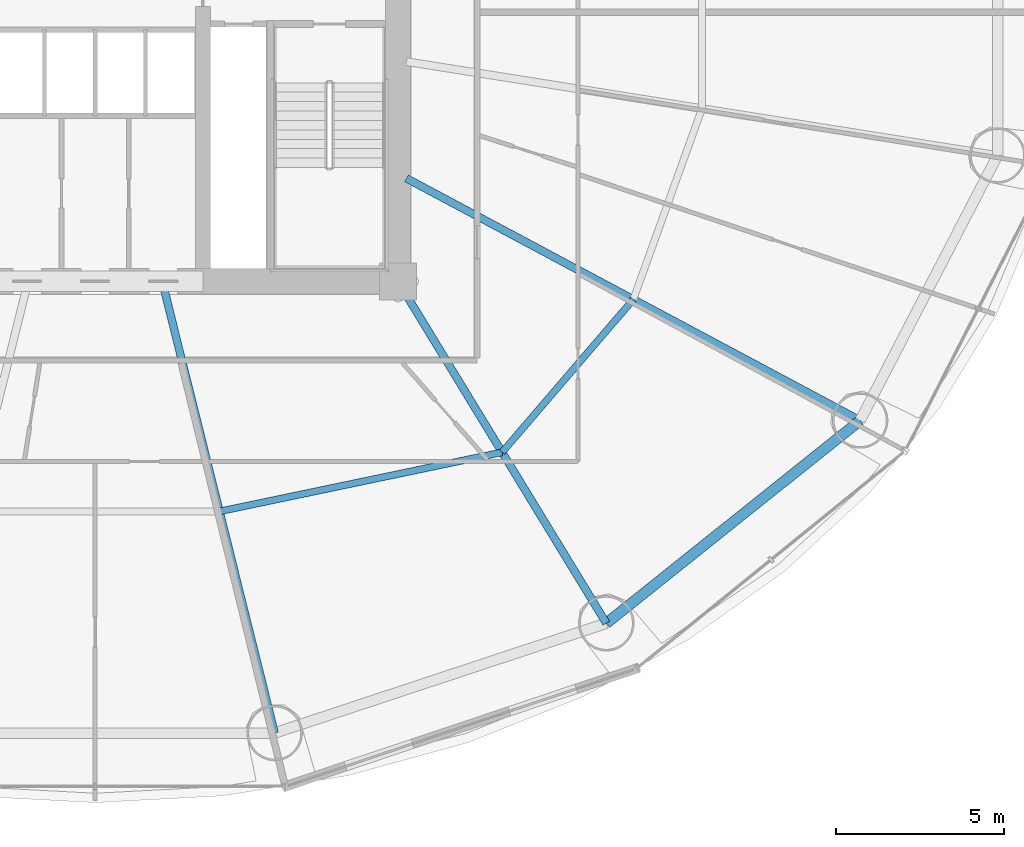
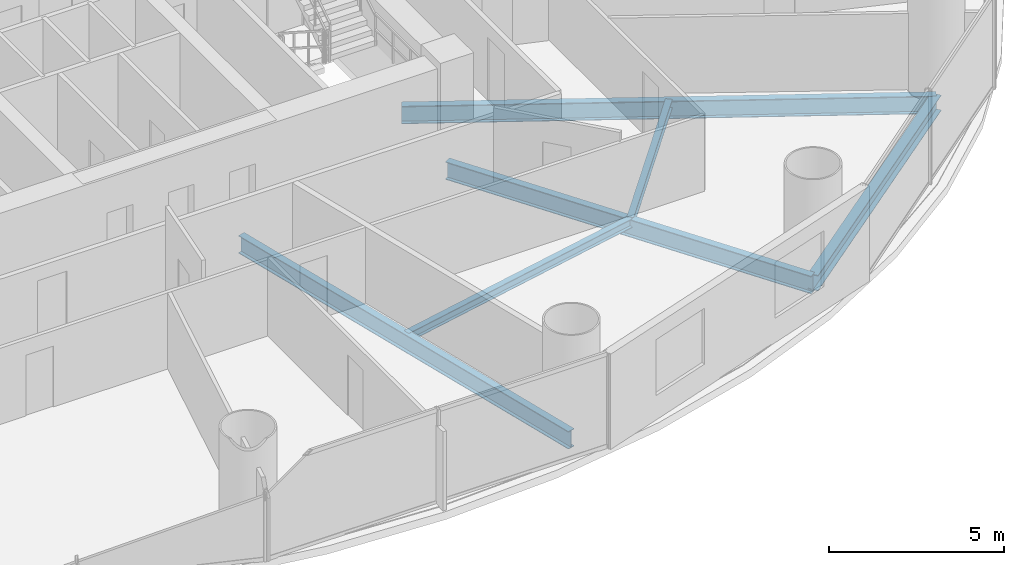
# One storey, part 11 of 29: 6 beams.
"""IFC4 building model written with IfcOpenShell, lengths in metres."""

import ifcopenshell
import ifcopenshell.guid

model = None  # the IFC model being written
_history = None  # IfcOwnerHistory: only IFC2X3 demands one
_inside = {}  # id of a spatial element -> (the spatial element, [elements in it])
_under = {}  # id of a project, library or spatial element -> (it, [spatial elements below it])
_declared = {}  # id of a project -> (the project, [libraries it declares])
_typed = {}  # id of a type object -> (the type object, [elements of that type])
_made_of = {}  # id of a material, layer set ... -> (it, [elements and type objects made of it])


def new_model(schema):
    """Start an empty IFC model of exactly this schema.

    Asked for "IFC4X3", IfcOpenShell would pick the latest addendum, in which some entities
    have other attributes; the version numbers below select the first issue.
    IFC2X3 requires an IfcOwnerHistory on every rooted entity: one is made here for all.
    """
    global model, _history
    if schema == "IFC4X3":
        model = ifcopenshell.file(schema_version=(4, 3, 0, 0))
    else:
        model = ifcopenshell.file(schema=schema)
    _inside.clear()
    _under.clear()
    _declared.clear()
    _typed.clear()
    _made_of.clear()
    _history = None
    if model.schema == "IFC2X3":
        org = make("IfcOrganization", Name="unknown")
        user = make(
            "IfcPersonAndOrganization",
            ThePerson=make("IfcPerson", FamilyName="unknown"),
            TheOrganization=org,
        )
        app = make(
            "IfcApplication",
            ApplicationDeveloper=org,
            Version="unknown",
            ApplicationFullName="unknown",
            ApplicationIdentifier="unknown",
        )
        _history = make(
            "IfcOwnerHistory",
            OwningUser=user,
            OwningApplication=app,
            ChangeAction="ADDED",
            CreationDate=0,
        )
    return model


def make(cls, **values):
    """One entity of the class cls with the attributes given. An attribute that is None is left unset."""
    return model.create_entity(
        cls, **{name: value for name, value in values.items() if value is not None}
    )


def rooted(cls, **values):
    """An entity with a GlobalId (a new one), such as an element, a storey or a relation."""
    return make(cls, GlobalId=ifcopenshell.guid.new(), OwnerHistory=_history, **values)


def si_unit(unit_type, name, prefix=None):
    """IfcSIUnit, for example si_unit("LENGTHUNIT", "METRE", prefix="MILLI")."""
    return make("IfcSIUnit", UnitType=unit_type, Prefix=prefix, Name=name)


def assignment(units):
    """IfcUnitAssignment: the units of a project."""
    return None if units is None else make("IfcUnitAssignment", Units=units)


def point(xyz):
    """IfcCartesianPoint."""
    return None if xyz is None else make("IfcCartesianPoint", Coordinates=xyz)


def direction(xyz):
    """IfcDirection."""
    return None if xyz is None else make("IfcDirection", DirectionRatios=xyz)


def frame(location, z_axis=None, x_axis=None):
    """IfcAxis2Placement3D, a coordinate frame: its origin and axes. An axis left out is left unset."""
    return make(
        "IfcAxis2Placement3D",
        Location=point(location),
        Axis=direction(z_axis),
        RefDirection=direction(x_axis),
    )


def frame_2d(location, x_axis=None):
    """IfcAxis2Placement2D, a coordinate frame in the plane: its origin and x axis."""
    return make(
        "IfcAxis2Placement2D", Location=point(location), RefDirection=direction(x_axis)
    )


def origin():
    """The frame at (0, 0, 0) with its axes left unset."""
    return frame((0.0, 0.0, 0.0))


def origin_2d():
    """The frame at (0, 0) in the plane with its x axis left unset."""
    return frame_2d((0.0, 0.0))


def place(relative_to, where):
    """IfcLocalPlacement: puts the frame where relative to a parent placement (None: the world)."""
    return make(
        "IfcLocalPlacement", PlacementRelTo=relative_to, RelativePlacement=where
    )


def context(
    kind, dimensions, precision=None, world=None, true_north=None, identifier=None
):
    """IfcGeometricRepresentationContext, for example the 3D "Model" context."""
    return make(
        "IfcGeometricRepresentationContext",
        ContextIdentifier=identifier,
        ContextType=kind,
        CoordinateSpaceDimension=dimensions,
        Precision=precision,
        WorldCoordinateSystem=world,
        TrueNorth=true_north,
    )


def subcontext(parent, identifier, kind, view, scale=None):
    """IfcGeometricRepresentationSubContext, for example "Body" below "Model"."""
    return make(
        "IfcGeometricRepresentationSubContext",
        ContextIdentifier=identifier,
        ContextType=kind,
        ParentContext=parent,
        TargetScale=scale,
        TargetView=view,
    )


def project(units=None, contexts=None):
    """IfcProject with its units and contexts."""
    return rooted(
        "IfcProject",
        Name="project",
        RepresentationContexts=contexts,
        UnitsInContext=assignment(units),
    )


def spatial(cls, under=None, at=None, **own):
    """A site, building, storey or space (cls), placed at a placement, below another one or the project."""
    s = rooted(cls, ObjectPlacement=at, **own)
    if under is not None:
        _under.setdefault(under.id(), (under, []))[1].append(s)
    return s


def profile(cls, at=None, kind="AREA", **sizes):
    """A parametric profile (cls). Its sizes go by their IFC names, for example OverallWidth=200.0."""
    return make(cls, ProfileType=kind, Position=at, **sizes)


def i_section(**sizes):
    """IfcIShapeProfileDef."""
    return profile("IfcIShapeProfileDef", **sizes)


def extrude(swept, where, along, depth):
    """IfcExtrudedAreaSolid: the profile swept, set in the frame where, extruded along a direction by depth."""
    return make(
        "IfcExtrudedAreaSolid",
        SweptArea=swept,
        Position=where,
        ExtrudedDirection=direction(along),
        Depth=depth,
    )


def shape(context_of_items, identifier, shape_type, items):
    """IfcShapeRepresentation: the items that make up one representation, for example the "Body"."""
    return make(
        "IfcShapeRepresentation",
        ContextOfItems=context_of_items,
        RepresentationIdentifier=identifier,
        RepresentationType=shape_type,
        Items=items,
    )


def material(Name=None, Category=None):
    """IfcMaterial."""
    return make("IfcMaterial", Name=Name, Category=Category)


def material_profile(
    of_material, cross_section, Name=None, Category=None, Priority=None
):
    """IfcMaterialProfile: a cross section and its material."""
    return make(
        "IfcMaterialProfile",
        Name=Name,
        Material=of_material,
        Profile=cross_section,
        Priority=Priority,
        Category=Category,
    )


def profile_set(profiles, Name=None, composite=None):
    """IfcMaterialProfileSet."""
    return make(
        "IfcMaterialProfileSet",
        Name=Name,
        MaterialProfiles=profiles,
        CompositeProfile=composite,
    )


def made_of(thing, what):
    """Note that an element or type object is made of a material, layer set ...; save() writes the relation."""
    if what is not None:
        _made_of.setdefault(what.id(), (what, []))[1].append(thing)
    return thing


def type_object(cls, material=None, **own):
    """A type object (cls), such as IfcWallType, which elements share."""
    return made_of(rooted(cls, **own), material)


def element(
    cls,
    number,
    at=None,
    inside=None,
    cuts=None,
    type_object=None,
    material=None,
    context=None,
    identifier="Body",
    shape_type=None,
    held_by="IfcProductDefinitionShape",
    body=None,
    shapes=None,
    **own,
):
    """One element of the class cls, such as IfcWall. Its Tag is "e" and its number.

    at: its placement. inside: the storey or other place that contains it. cuts: it is an
    opening in that element (IfcRelVoidsElement). A single representation is given by context,
    identifier, shape_type and body (its items); several are given by shapes. held_by: the class
    of the entity that holds the representations. save() writes the other relations.
    """
    e = rooted(cls, Tag="e%d" % number, ObjectPlacement=at, **own)
    if body is not None:
        shapes = [shape(context, identifier, shape_type, body)]
    if shapes is not None:
        e.Representation = make(held_by, Representations=shapes)
    if inside is not None:
        _inside.setdefault(inside.id(), (inside, []))[1].append(e)
    if cuts is not None:
        rooted(
            "IfcRelVoidsElement", RelatingBuildingElement=cuts, RelatedOpeningElement=e
        )
    if type_object is not None:
        _typed.setdefault(type_object.id(), (type_object, []))[1].append(e)
    return made_of(e, material)


def aggregate(whole, parts):
    """IfcRelAggregates: a whole, such as a stair, and the parts it consists of."""
    return rooted("IfcRelAggregates", RelatingObject=whole, RelatedObjects=parts)


def save(model, path):
    """Write the relations noted so far, then the file.

    IfcRelAggregates (storeys below a building ...), IfcRelContainedInSpatialStructure (elements
    in a storey), IfcRelDefinesByType, IfcRelAssociatesMaterial and IfcRelDeclares: one each for
    every whole, place, type object, material and project.
    """
    for whole, parts in _under.values():
        aggregate(whole, parts)
    for where, things in _inside.values():
        rooted(
            "IfcRelContainedInSpatialStructure",
            RelatedElements=things,
            RelatingStructure=where,
        )
    for kind, things in _typed.values():
        rooted("IfcRelDefinesByType", RelatedObjects=things, RelatingType=kind)
    for what, things in _made_of.values():
        rooted("IfcRelAssociatesMaterial", RelatedObjects=things, RelatingMaterial=what)
    for by, libraries in _declared.values():
        rooted("IfcRelDeclares", RelatingContext=by, RelatedDefinitions=libraries)
    model.write(path)


model = new_model("IFC4")

# Units and contexts
model_context = context("Model", 3, precision=1e-05, world=origin(), true_north=direction((-0.2419218956, 0.970295726276)))
body_context = subcontext(model_context, "Body", "Model", "MODEL_VIEW")
ifc_project = project(units=[si_unit("LENGTHUNIT", "METRE"), si_unit("AREAUNIT", "SQUARE_METRE"), si_unit("VOLUMEUNIT", "CUBIC_METRE"), si_unit("PLANEANGLEUNIT", "RADIAN"), si_unit("MASSUNIT", "GRAM", prefix="KILO")], contexts=[model_context])

# Site, building, storey
site_placement = place(None, origin())
site = spatial("IfcSite", under=ifc_project, at=site_placement, CompositionType="ELEMENT")
building_placement = place(site_placement, origin())
building = spatial("IfcBuilding", under=site, at=building_placement, Name="Cobrevalo Terracotta Tower", CompositionType="ELEMENT")
storey_placement = place(building_placement, frame((0.0, 0.0, 67.199951171875)))
storey = spatial("IfcBuildingStorey", under=building, at=storey_placement, Name="L17", CompositionType="ELEMENT", Elevation=67.199951171875)

# Beams
ifc_material = material(Name="Steel S355", Category="steel")
ifc_material_profile_1 = material_profile(ifc_material, i_section(OverallWidth=0.22998046875, OverallDepth=0.616943359375, WebThickness=0.01318359375, FlangeThickness=0.022216796875, at=origin_2d()), Name="W 610x140")
ifc_profile_set_1 = profile_set([ifc_material_profile_1], Name="Steel S355")
beam_type_1 = type_object("IfcBeamType", Name="Structural Beam W 610x140 (Steel S355)", PredefinedType="BEAM", material=ifc_profile_set_1)
beam_1_placement = place(storey_placement, frame((43.335693359375, 5.369873046875, -0.58837890625), z_axis=(-0.241600470374, 0.970375810042, 0.0), x_axis=(-0.970375810042, -0.241600470374, 0.0)))
element("IfcBeam", 1, at=beam_1_placement, inside=storey, type_object=beam_type_1, Name="L17 radial floor girder 13", PredefinedType="BEAM", context=body_context, shape_type="SweptSolid", body=[
    extrude(i_section(OverallWidth=0.22998046875, OverallDepth=0.616943359375, WebThickness=0.01318359375, FlangeThickness=0.022216796875, at=origin_2d()), origin(), (0.0, 0.0, 1.0), 13.5771484375),
])
beam_2_placement = place(storey_placement, frame((53.19482421875, 8.63232421875, -0.58837890625), z_axis=(-0.520300780853, 0.853983077961, 0.0), x_axis=(-0.853983077961, -0.520300780853, 0.0)))
element("IfcBeam", 2, at=beam_2_placement, inside=storey, type_object=beam_type_1, Name="L17 radial floor girder 14", PredefinedType="BEAM", context=body_context, shape_type="SweptSolid", body=[
    extrude(i_section(OverallWidth=0.22998046875, OverallDepth=0.616943359375, WebThickness=0.01318359375, FlangeThickness=0.022216796875, at=origin_2d()), origin(), (0.0, 0.0, 1.0), 11.90625),
])
beam_3_placement = place(storey_placement, frame((60.74072265625, 14.660888671875, -0.58837890625), z_axis=(-0.88218223571, 0.470908168329, 0.0), x_axis=(-0.470908168329, -0.88218223571, 0.0)))
element("IfcBeam", 3, at=beam_3_placement, inside=storey, type_object=beam_type_1, Name="L17 radial floor girder 15", PredefinedType="BEAM", context=body_context, shape_type="SweptSolid", body=[
    extrude(i_section(OverallWidth=0.22998046875, OverallDepth=0.616943359375, WebThickness=0.01318359375, FlangeThickness=0.022216796875, at=origin_2d()), origin(), (0.0, 0.0, 1.0), 15.286865234375),
])
ifc_material_profile_2 = material_profile(ifc_material, i_section(OverallWidth=0.2041015625, OverallDepth=0.305908203125, WebThickness=0.008544921875, FlangeThickness=0.0146484375, at=origin_2d()), Name="W 310x67")
ifc_profile_set_2 = profile_set([ifc_material_profile_2], Name="Steel S355")
beam_type_2 = type_object("IfcBeamType", Name="Structural Joist W 310x67 (Steel S355)", PredefinedType="JOIST", material=ifc_profile_set_2)
beam_4_placement = place(storey_placement, frame((41.695556640625, 11.95751953125, -0.432861328125), z_axis=(0.978784523904, 0.204892302848, 0.0), x_axis=(-0.204892302848, 0.978784523904, 0.0)))
element("IfcBeam", 4, at=beam_4_placement, inside=storey, type_object=beam_type_2, Name="L17 circumferential secondary floor joist 13", PredefinedType="JOIST", context=body_context, shape_type="SweptSolid", body=[
    extrude(i_section(OverallWidth=0.2041015625, OverallDepth=0.305908203125, WebThickness=0.008544921875, FlangeThickness=0.0146484375, at=origin_2d()), origin(), (0.0, 0.0, 1.0), 8.583984375),
])
beam_5_placement = place(storey_placement, frame((50.097412109375, 13.71630859375, -0.432861328125), z_axis=(0.651328404454, 0.758795960421, 0.0), x_axis=(-0.758795960421, 0.651328404454, 0.0)))
element("IfcBeam", 5, at=beam_5_placement, inside=storey, type_object=beam_type_2, Name="L17 circumferential secondary floor joist 14", PredefinedType="JOIST", context=body_context, shape_type="SweptSolid", body=[
    extrude(i_section(OverallWidth=0.2041015625, OverallDepth=0.305908203125, WebThickness=0.008544921875, FlangeThickness=0.0146484375, at=origin_2d()), origin(), (0.0, 0.0, 1.0), 5.98828125),
])
ifc_material_profile_3 = material_profile(ifc_material, i_section(OverallWidth=0.31201171875, OverallDepth=0.54296875, WebThickness=0.0126953125, FlangeThickness=0.020263671875, at=origin_2d()), Name="W 530x150")
ifc_profile_set_3 = profile_set([ifc_material_profile_3], Name="Steel S355")
beam_type_3 = type_object("IfcBeamType", Name="Structural Spandrel W 530x150 (Steel S355)", PredefinedType="SPANDREL", material=ifc_profile_set_3)
beam_6_placement = place(storey_placement, frame((53.19482421875, 8.63232421875, -0.551513671875), z_axis=(0.781280479891, 0.62418011162, 0.0), x_axis=(-0.62418011162, 0.781280479891, 0.0)))
element("IfcBeam", 6, at=beam_6_placement, inside=storey, type_object=beam_type_3, Name="L17 perimeter ring spandrel 14", PredefinedType="SPANDREL", context=body_context, shape_type="SweptSolid", body=[
    extrude(i_section(OverallWidth=0.31201171875, OverallDepth=0.54296875, WebThickness=0.0126953125, FlangeThickness=0.020263671875, at=origin_2d()), origin(), (0.0, 0.0, 1.0), 9.658447265625),
])

save(model, "model.ifc")
